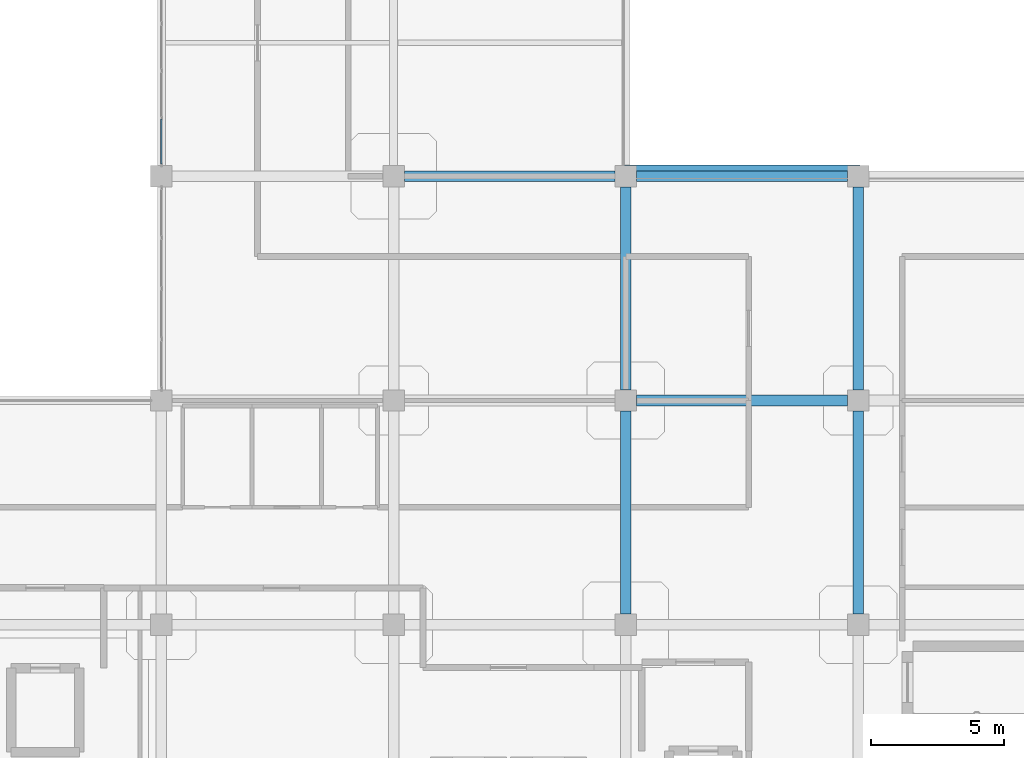
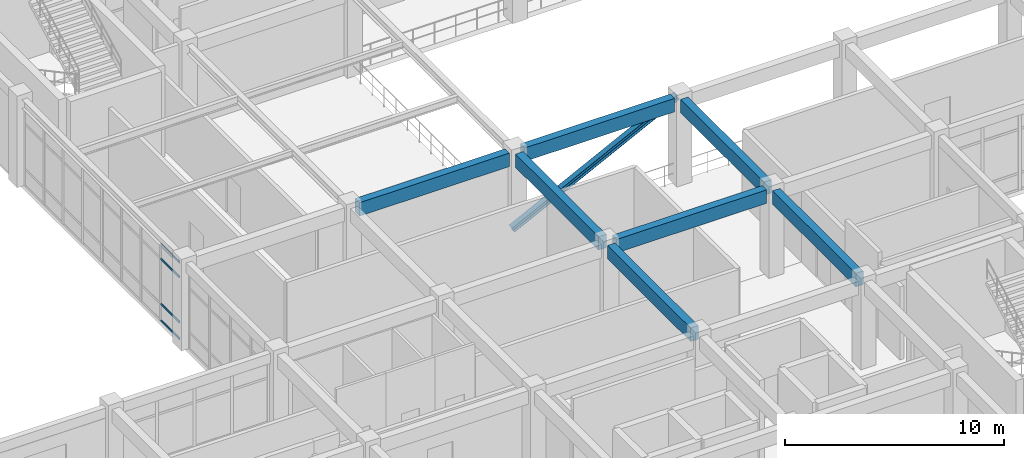
# One storey, part 23 of 96: 7 beams, 5 members, 1 element without a shape of its own.
"""IFC4 building model written with IfcOpenShell, lengths in metres."""

import ifcopenshell
import ifcopenshell.guid

model = None  # the IFC model being written
_history = None  # IfcOwnerHistory: only IFC2X3 demands one
_inside = {}  # id of a spatial element -> (the spatial element, [elements in it])
_under = {}  # id of a project, library or spatial element -> (it, [spatial elements below it])
_declared = {}  # id of a project -> (the project, [libraries it declares])
_typed = {}  # id of a type object -> (the type object, [elements of that type])
_made_of = {}  # id of a material, layer set ... -> (it, [elements and type objects made of it])


def new_model(schema):
    """Start an empty IFC model of exactly this schema.

    Asked for "IFC4X3", IfcOpenShell would pick the latest addendum, in which some entities
    have other attributes; the version numbers below select the first issue.
    IFC2X3 requires an IfcOwnerHistory on every rooted entity: one is made here for all.
    """
    global model, _history
    if schema == "IFC4X3":
        model = ifcopenshell.file(schema_version=(4, 3, 0, 0))
    else:
        model = ifcopenshell.file(schema=schema)
    _inside.clear()
    _under.clear()
    _declared.clear()
    _typed.clear()
    _made_of.clear()
    _history = None
    if model.schema == "IFC2X3":
        org = make("IfcOrganization", Name="unknown")
        user = make(
            "IfcPersonAndOrganization",
            ThePerson=make("IfcPerson", FamilyName="unknown"),
            TheOrganization=org,
        )
        app = make(
            "IfcApplication",
            ApplicationDeveloper=org,
            Version="unknown",
            ApplicationFullName="unknown",
            ApplicationIdentifier="unknown",
        )
        _history = make(
            "IfcOwnerHistory",
            OwningUser=user,
            OwningApplication=app,
            ChangeAction="ADDED",
            CreationDate=0,
        )
    return model


def make(cls, **values):
    """One entity of the class cls with the attributes given. An attribute that is None is left unset."""
    return model.create_entity(
        cls, **{name: value for name, value in values.items() if value is not None}
    )


def rooted(cls, **values):
    """An entity with a GlobalId (a new one), such as an element, a storey or a relation."""
    return make(cls, GlobalId=ifcopenshell.guid.new(), OwnerHistory=_history, **values)


def si_unit(unit_type, name, prefix=None):
    """IfcSIUnit, for example si_unit("LENGTHUNIT", "METRE", prefix="MILLI")."""
    return make("IfcSIUnit", UnitType=unit_type, Prefix=prefix, Name=name)


def derived_unit(unit_type, elements):
    """IfcDerivedUnit: a product of units, each with its exponent."""
    return make(
        "IfcDerivedUnit",
        Elements=[
            make("IfcDerivedUnitElement", Unit=unit, Exponent=power)
            for unit, power in elements
        ],
        UnitType=unit_type,
    )


def assignment(units):
    """IfcUnitAssignment: the units of a project."""
    return None if units is None else make("IfcUnitAssignment", Units=units)


def point(xyz):
    """IfcCartesianPoint."""
    return None if xyz is None else make("IfcCartesianPoint", Coordinates=xyz)


def direction(xyz):
    """IfcDirection."""
    return None if xyz is None else make("IfcDirection", DirectionRatios=xyz)


def frame(location, z_axis=None, x_axis=None):
    """IfcAxis2Placement3D, a coordinate frame: its origin and axes. An axis left out is left unset."""
    return make(
        "IfcAxis2Placement3D",
        Location=point(location),
        Axis=direction(z_axis),
        RefDirection=direction(x_axis),
    )


def frame_2d(location, x_axis=None):
    """IfcAxis2Placement2D, a coordinate frame in the plane: its origin and x axis."""
    return make(
        "IfcAxis2Placement2D", Location=point(location), RefDirection=direction(x_axis)
    )


def origin():
    """The frame at (0, 0, 0) with its axes left unset."""
    return frame((0.0, 0.0, 0.0))


def origin_2d():
    """The frame at (0, 0) in the plane with its x axis left unset."""
    return frame_2d((0.0, 0.0))


def place(relative_to, where):
    """IfcLocalPlacement: puts the frame where relative to a parent placement (None: the world)."""
    return make(
        "IfcLocalPlacement", PlacementRelTo=relative_to, RelativePlacement=where
    )


def context(
    kind, dimensions, precision=None, world=None, true_north=None, identifier=None
):
    """IfcGeometricRepresentationContext, for example the 3D "Model" context."""
    return make(
        "IfcGeometricRepresentationContext",
        ContextIdentifier=identifier,
        ContextType=kind,
        CoordinateSpaceDimension=dimensions,
        Precision=precision,
        WorldCoordinateSystem=world,
        TrueNorth=true_north,
    )


def subcontext(parent, identifier, kind, view, scale=None):
    """IfcGeometricRepresentationSubContext, for example "Body" below "Model"."""
    return make(
        "IfcGeometricRepresentationSubContext",
        ContextIdentifier=identifier,
        ContextType=kind,
        ParentContext=parent,
        TargetScale=scale,
        TargetView=view,
    )


def project(units=None, contexts=None):
    """IfcProject with its units and contexts."""
    return rooted(
        "IfcProject",
        Name="project",
        RepresentationContexts=contexts,
        UnitsInContext=assignment(units),
    )


def spatial(cls, under=None, at=None, **own):
    """A site, building, storey or space (cls), placed at a placement, below another one or the project."""
    s = rooted(cls, ObjectPlacement=at, **own)
    if under is not None:
        _under.setdefault(under.id(), (under, []))[1].append(s)
    return s


def profile(cls, at=None, kind="AREA", **sizes):
    """A parametric profile (cls). Its sizes go by their IFC names, for example OverallWidth=200.0."""
    return make(cls, ProfileType=kind, Position=at, **sizes)


def rectangle(**sizes):
    """IfcRectangleProfileDef."""
    return profile("IfcRectangleProfileDef", **sizes)


def hollow_rectangle(**sizes):
    """IfcRectangleHollowProfileDef."""
    return profile("IfcRectangleHollowProfileDef", **sizes)


def i_section(**sizes):
    """IfcIShapeProfileDef."""
    return profile("IfcIShapeProfileDef", **sizes)


def extrude(swept, where, along, depth):
    """IfcExtrudedAreaSolid: the profile swept, set in the frame where, extruded along a direction by depth."""
    return make(
        "IfcExtrudedAreaSolid",
        SweptArea=swept,
        Position=where,
        ExtrudedDirection=direction(along),
        Depth=depth,
    )


def shape(context_of_items, identifier, shape_type, items):
    """IfcShapeRepresentation: the items that make up one representation, for example the "Body"."""
    return make(
        "IfcShapeRepresentation",
        ContextOfItems=context_of_items,
        RepresentationIdentifier=identifier,
        RepresentationType=shape_type,
        Items=items,
    )


def material(Name=None, Category=None):
    """IfcMaterial."""
    return make("IfcMaterial", Name=Name, Category=Category)


def layer(
    of_material, thickness, ventilated=None, Name=None, Category=None, Priority=None
):
    """IfcMaterialLayer: one layer of a wall or slab, of a material (None: an air gap)."""
    return make(
        "IfcMaterialLayer",
        Material=of_material,
        LayerThickness=thickness,
        IsVentilated=ventilated,
        Name=Name,
        Category=Category,
        Priority=Priority,
    )


def layer_set(layers, Name=None):
    """IfcMaterialLayerSet."""
    return make("IfcMaterialLayerSet", MaterialLayers=layers, LayerSetName=Name)


def material_profile(
    of_material, cross_section, Name=None, Category=None, Priority=None
):
    """IfcMaterialProfile: a cross section and its material."""
    return make(
        "IfcMaterialProfile",
        Name=Name,
        Material=of_material,
        Profile=cross_section,
        Priority=Priority,
        Category=Category,
    )


def profile_set(profiles, Name=None, composite=None):
    """IfcMaterialProfileSet."""
    return make(
        "IfcMaterialProfileSet",
        Name=Name,
        MaterialProfiles=profiles,
        CompositeProfile=composite,
    )


def made_of(thing, what):
    """Note that an element or type object is made of a material, layer set ...; save() writes the relation."""
    if what is not None:
        _made_of.setdefault(what.id(), (what, []))[1].append(thing)
    return thing


def type_object(cls, material=None, **own):
    """A type object (cls), such as IfcWallType, which elements share."""
    return made_of(rooted(cls, **own), material)


def element(
    cls,
    number,
    at=None,
    inside=None,
    cuts=None,
    type_object=None,
    material=None,
    context=None,
    identifier="Body",
    shape_type=None,
    held_by="IfcProductDefinitionShape",
    body=None,
    shapes=None,
    **own,
):
    """One element of the class cls, such as IfcWall. Its Tag is "e" and its number.

    at: its placement. inside: the storey or other place that contains it. cuts: it is an
    opening in that element (IfcRelVoidsElement). A single representation is given by context,
    identifier, shape_type and body (its items); several are given by shapes. held_by: the class
    of the entity that holds the representations. save() writes the other relations.
    """
    e = rooted(cls, Tag="e%d" % number, ObjectPlacement=at, **own)
    if body is not None:
        shapes = [shape(context, identifier, shape_type, body)]
    if shapes is not None:
        e.Representation = make(held_by, Representations=shapes)
    if inside is not None:
        _inside.setdefault(inside.id(), (inside, []))[1].append(e)
    if cuts is not None:
        rooted(
            "IfcRelVoidsElement", RelatingBuildingElement=cuts, RelatedOpeningElement=e
        )
    if type_object is not None:
        _typed.setdefault(type_object.id(), (type_object, []))[1].append(e)
    return made_of(e, material)


def aggregate(whole, parts):
    """IfcRelAggregates: a whole, such as a stair, and the parts it consists of."""
    return rooted("IfcRelAggregates", RelatingObject=whole, RelatedObjects=parts)


def save(model, path):
    """Write the relations noted so far, then the file.

    IfcRelAggregates (storeys below a building ...), IfcRelContainedInSpatialStructure (elements
    in a storey), IfcRelDefinesByType, IfcRelAssociatesMaterial and IfcRelDeclares: one each for
    every whole, place, type object, material and project.
    """
    for whole, parts in _under.values():
        aggregate(whole, parts)
    for where, things in _inside.values():
        rooted(
            "IfcRelContainedInSpatialStructure",
            RelatedElements=things,
            RelatingStructure=where,
        )
    for kind, things in _typed.values():
        rooted("IfcRelDefinesByType", RelatedObjects=things, RelatingType=kind)
    for what, things in _made_of.values():
        rooted("IfcRelAssociatesMaterial", RelatedObjects=things, RelatingMaterial=what)
    for by, libraries in _declared.values():
        rooted("IfcRelDeclares", RelatingContext=by, RelatedDefinitions=libraries)
    model.write(path)


model = new_model("IFC4")

# Units and contexts
model_context = context("Model", 3, precision=1e-05, world=origin(), true_north=direction((0.0, 1.0)))
body_context = subcontext(model_context, "Body", "Model", "MODEL_VIEW")
ifc_project = project(units=[si_unit("LENGTHUNIT", "METRE"), si_unit("AREAUNIT", "SQUARE_METRE"), si_unit("VOLUMEUNIT", "CUBIC_METRE"), si_unit("PLANEANGLEUNIT", "RADIAN"), si_unit("MASSUNIT", "GRAM", prefix="KILO"), derived_unit("THERMALTRANSMITTANCEUNIT", [(si_unit("MASSUNIT", "GRAM", prefix="KILO"), 1), (si_unit("TIMEUNIT", "SECOND"), -3), (si_unit("THERMODYNAMICTEMPERATUREUNIT", "KELVIN"), -1)])], contexts=[model_context])

# Site, building, storey
site_placement = place(None, origin())
site = spatial("IfcSite", under=ifc_project, at=site_placement, CompositionType="ELEMENT")
building_placement = place(site_placement, origin())
building = spatial("IfcBuilding", under=site, at=building_placement, Name="Qinzheling Arcade Emporium", CompositionType="ELEMENT")
storey_placement = place(building_placement, frame((0.0, 0.0, 21.60009765625)))
storey = spatial("IfcBuildingStorey", under=building, at=storey_placement, Name="L05", CompositionType="ELEMENT", Elevation=21.60009765625)

# Curtain wall, members
ifc_material_1 = material(Name="Anodised aluminium and solar-control double glazing", Category="aluminium")
ifc_layer = layer(ifc_material_1, 0.159912109375, Name="Anodised aluminium and solar-control double glazing", Category="aluminium")
ifc_layer_set = layer_set([ifc_layer], Name="Anodised aluminium and solar-control double glazing")
curtain_wall_type = type_object("IfcCurtainWallType", Name="Atrium Clerestory Curtain Wall", PredefinedType="NOTDEFINED", material=ifc_layer_set)
curtain_wall_placement = place(storey_placement, origin())
curtain_wall = element("IfcCurtainWall", 1, at=curtain_wall_placement, inside=storey, type_object=curtain_wall_type, Name="Curtain Wall CW-L05-317", PredefinedType="NOTDEFINED")
ifc_material_2 = material(Name="Anodised aluminium 6063-T6", Category="aluminium")
ifc_material_profile_1 = material_profile(ifc_material_2, hollow_rectangle(XDim=0.06005859375, YDim=0.1201171875, WallThickness=0.00390625, InnerFilletRadius=0.00390625, OuterFilletRadius=0.008056640625, at=origin_2d()), Name="RHS 120x60x4", Category="aluminium")
ifc_profile_set_1 = profile_set([ifc_material_profile_1], Name="Anodised aluminium 6063-T6")
member_type_1 = type_object("IfcMemberType", Name="Curtain Wall Transom RHS120x60", PredefinedType="USERDEFINED", material=ifc_profile_set_1)
member_1_placement = place(storey_placement, frame((34.800048828125, 50.862060546875, 0.02978515625), z_axis=(0.0, 1.0, 0.0), x_axis=(-1.0, 0.0, 0.0)))
member_1 = element("IfcMember", 2, at=member_1_placement, type_object=member_type_1, Name="CW03 transom 1.1", ObjectType="TRANSOM", PredefinedType="USERDEFINED", context=body_context, shape_type="SweptSolid", body=[
    extrude(hollow_rectangle(XDim=0.06005859375, YDim=0.1201171875, WallThickness=0.00390625, InnerFilletRadius=0.00390625, OuterFilletRadius=0.008056640625, at=origin_2d()), origin(), (0.0, 0.0, 1.0), 1.683837890625),
])
member_2_placement = place(storey_placement, frame((34.800048828125, 50.862060546875, 0.949951171875), z_axis=(0.0, 1.0, 0.0), x_axis=(-1.0, 0.0, 0.0)))
member_2 = element("IfcMember", 3, at=member_2_placement, type_object=member_type_1, Name="CW03 transom 1.2", ObjectType="TRANSOM", PredefinedType="USERDEFINED", context=body_context, shape_type="SweptSolid", body=[
    extrude(hollow_rectangle(XDim=0.06005859375, YDim=0.1201171875, WallThickness=0.00390625, InnerFilletRadius=0.00390625, OuterFilletRadius=0.008056640625, at=origin_2d()), origin(), (0.0, 0.0, 1.0), 1.683837890625),
])
member_3_placement = place(storey_placement, frame((34.800048828125, 50.862060546875, 3.466796875), z_axis=(0.0, 1.0, 0.0), x_axis=(-1.0, 0.0, 0.0)))
member_3 = element("IfcMember", 4, at=member_3_placement, type_object=member_type_1, Name="CW03 transom 1.3", ObjectType="TRANSOM", PredefinedType="USERDEFINED", context=body_context, shape_type="SweptSolid", body=[
    extrude(hollow_rectangle(XDim=0.06005859375, YDim=0.1201171875, WallThickness=0.00390625, InnerFilletRadius=0.00390625, OuterFilletRadius=0.008056640625, at=origin_2d()), origin(), (0.0, 0.0, 1.0), 1.683837890625),
])
member_4_placement = place(storey_placement, frame((34.800048828125, 50.862060546875, 4.286865234375), z_axis=(0.0, 1.0, 0.0), x_axis=(-1.0, 0.0, 0.0)))
member_4 = element("IfcMember", 5, at=member_4_placement, type_object=member_type_1, Name="CW03 transom 1.4", ObjectType="TRANSOM", PredefinedType="USERDEFINED", context=body_context, shape_type="SweptSolid", body=[
    extrude(hollow_rectangle(XDim=0.06005859375, YDim=0.1201171875, WallThickness=0.00390625, InnerFilletRadius=0.00390625, OuterFilletRadius=0.008056640625, at=origin_2d()), origin(), (0.0, 0.0, 1.0), 1.683837890625),
])
aggregate(curtain_wall, [member_1, member_2, member_3, member_4])

# Member
ifc_material_3 = material(Name="Structural steel Q355B", Category="steel")
ifc_material_profile_2 = material_profile(ifc_material_3, i_section(OverallWidth=0.300048828125, OverallDepth=0.300048828125, WebThickness=0.010009765625, FlangeThickness=0.014892578125, FilletRadius=0.01806640625, at=origin_2d()), Name="HW 300x300x10x15", Category="steel")
ifc_profile_set_2 = profile_set([ifc_material_profile_2], Name="Structural steel Q355B")
member_type_2 = type_object("IfcMemberType", Name="Escalator Truss Stringer HW300 Q355B", PredefinedType="STRINGER", material=ifc_profile_set_2)
member_5_placement = place(storey_placement, frame((52.199951171875, 50.679931640625, 0.179931640625), z_axis=(0.893608196207, 0.0, 0.448847849134), x_axis=(0.0, 1.0, 0.0)))
element("IfcMember", 6, at=member_5_placement, inside=storey, type_object=member_type_2, Name="Escalator Stringer ESC-STR-L05-1", PredefinedType="STRINGER", context=body_context, shape_type="SweptSolid", body=[
    extrude(i_section(OverallWidth=0.300048828125, OverallDepth=0.300048828125, WebThickness=0.010009765625, FlangeThickness=0.014892578125, FilletRadius=0.01806640625, at=origin_2d()), origin(), (0.0, 0.0, 1.0), 9.73583984375),
])

# Beams
ifc_material_4 = material(Name="Concrete C40", Category="concrete")
ifc_material_profile_3 = material_profile(ifc_material_4, rectangle(XDim=0.39990234375, YDim=0.75, at=origin_2d()), Name="RC 400x750", Category="concrete")
ifc_profile_set_3 = profile_set([ifc_material_profile_3], Name="Concrete C40")
beam_type = type_object("IfcBeamType", Name="RC Interior Tie Beam 400x750 C40", PredefinedType="BEAM", material=ifc_profile_set_3)
beam_1_placement = place(storey_placement, frame((52.60009765625, 42.0, 4.44482421875), z_axis=(1.0, 0.0, 0.0), x_axis=(0.0, 1.0, 0.0)))
element("IfcBeam", 7, at=beam_1_placement, inside=storey, type_object=beam_type, Name="Beam BM-L05-X-F-7", PredefinedType="BEAM", context=body_context, shape_type="SweptSolid", body=[
    extrude(rectangle(XDim=0.39990234375, YDim=0.75, at=origin_2d()), origin(), (0.0, 0.0, 1.0), 7.89990234375),
])
beam_2_placement = place(storey_placement, frame((43.89990234375, 50.39990234375, 4.44482421875), z_axis=(1.0, 0.0, 0.0), x_axis=(0.0, 1.0, 0.0)))
element("IfcBeam", 8, at=beam_2_placement, inside=storey, type_object=beam_type, Name="Beam BM-L05-X-G-6", PredefinedType="BEAM", context=body_context, shape_type="SweptSolid", body=[
    extrude(rectangle(XDim=0.39990234375, YDim=0.75, at=origin_2d()), origin(), (0.0, 0.0, 1.0), 7.900146484375),
])
beam_3_placement = place(storey_placement, frame((52.60009765625, 50.39990234375, 4.44482421875), z_axis=(1.0, 0.0, 0.0), x_axis=(0.0, 1.0, 0.0)))
element("IfcBeam", 9, at=beam_3_placement, inside=storey, type_object=beam_type, Name="Beam BM-L05-X-G-7", PredefinedType="BEAM", context=body_context, shape_type="SweptSolid", body=[
    extrude(rectangle(XDim=0.39990234375, YDim=0.75, at=origin_2d()), origin(), (0.0, 0.0, 1.0), 7.89990234375),
])
for number, where, z_axis, x_axis, name in (
    (10, (52.199951171875, 34.0, 4.44482421875), (0.0, 1.0, 0.0), (-1.0, 0.0, 0.0), "Beam BM-L05-Y-7-E"),
    (11, (52.199951171875, 42.39990234375, 4.44482421875), (0.0, 1.0, 0.0), (-1.0, 0.0, 0.0), "Beam BM-L05-Y-7-F"),
    (12, (60.89990234375, 34.0, 4.44482421875), (0.0, 1.0, 0.0), (-1.0, 0.0, 0.0), "Beam BM-L05-Y-8-E"),
    (13, (60.89990234375, 42.39990234375, 4.44482421875), (0.0, 1.0, 0.0), (-1.0, 0.0, 0.0), "Beam BM-L05-Y-8-F"),
):
    element("IfcBeam", number, at=place(storey_placement, frame(where, z_axis=z_axis, x_axis=x_axis)), inside=storey, type_object=beam_type, Name=name, PredefinedType="BEAM", context=body_context, shape_type="SweptSolid", body=[
        extrude(rectangle(XDim=0.39990234375, YDim=0.75, at=origin_2d()), origin(), (0.0, 0.0, 1.0), 7.60009765625),
    ])

save(model, "model.ifc")
